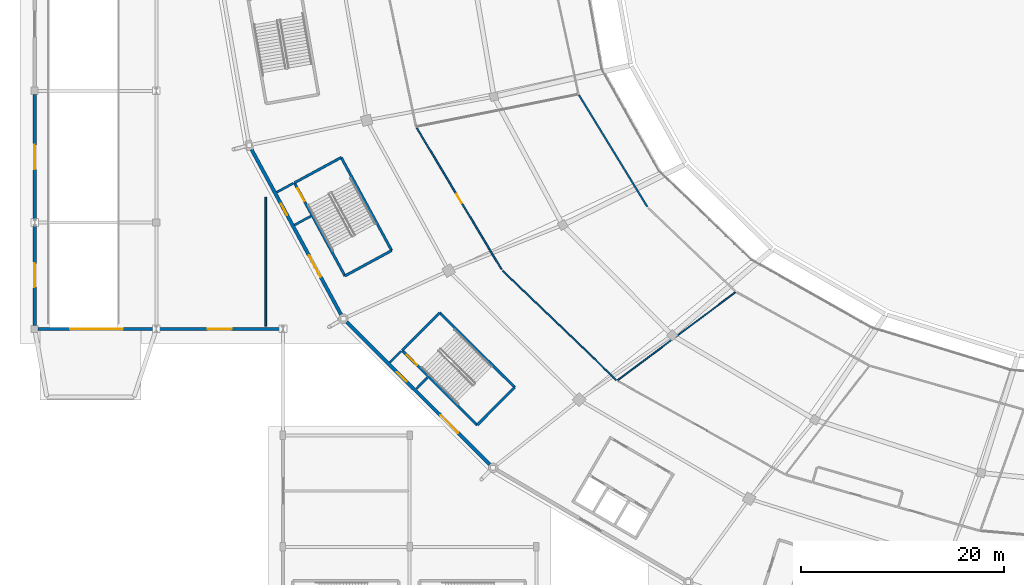
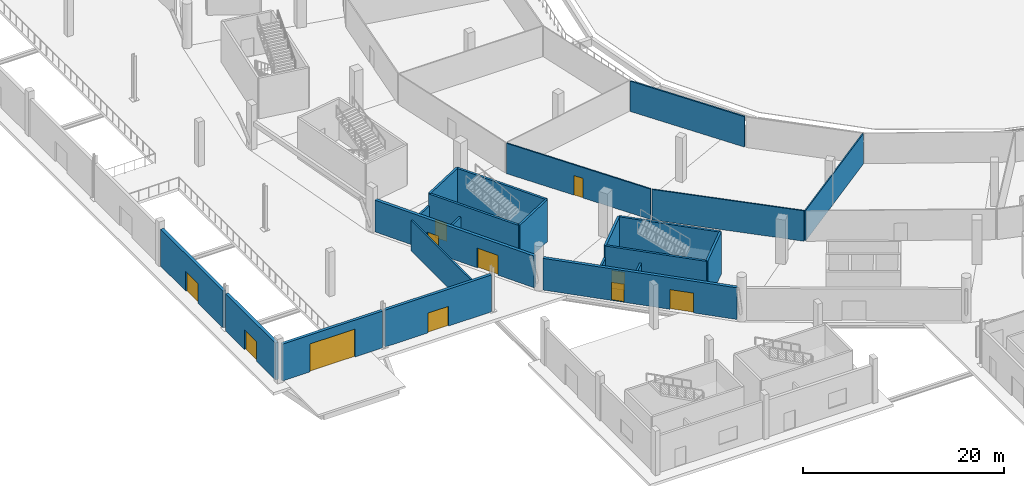
# One storey, part 37 of 82: 23 walls, 11 doors, 11 openings.
"""IFC4 building model written with IfcOpenShell, lengths in metres."""

from ifc_helpers import new_model, si_unit, direction, frame, frame_2d, origin, place, context, subcontext, project, spatial, rectangle, extrude, material, layer, layer_set, type_object, element, fill, save


model = new_model("IFC4")

# Units and contexts
model_context = context("Model", 3, precision=1e-05, world=origin(), true_north=direction((0.0, 1.0)))
body_context = subcontext(model_context, "Body", "Model", "MODEL_VIEW")
ifc_project = project(units=[si_unit("LENGTHUNIT", "METRE"), si_unit("AREAUNIT", "SQUARE_METRE"), si_unit("VOLUMEUNIT", "CUBIC_METRE"), si_unit("PLANEANGLEUNIT", "RADIAN"), si_unit("MASSUNIT", "GRAM", prefix="KILO")], contexts=[model_context])

# Site, building, storey
site_placement = place(None, origin())
site = spatial("IfcSite", under=ifc_project, at=site_placement, CompositionType="ELEMENT")
building_placement = place(site_placement, origin())
building = spatial("IfcBuilding", under=site, at=building_placement, Name="Zlatoyarsky Gate Stadium", CompositionType="ELEMENT")
storey_placement = place(building_placement, origin())
storey = spatial("IfcBuildingStorey", under=building, at=storey_placement, Name="L00", CompositionType="ELEMENT", Elevation=0.0)

# Walls
ifc_material_1 = material(Name="Double-stud acoustic gypsum partition", Category="gypsum")
ifc_layer_1 = layer(ifc_material_1, 0.169921875)
ifc_layer_set_1 = layer_set([ifc_layer_1], Name="Double-stud acoustic gypsum partition")
wall_type_1 = type_object("IfcWallType", Name="ACOUSTIC BROADCAST STUDIO WALL 170", PredefinedType="PARTITIONING", material=ifc_layer_set_1)
wall_1_placement = place(storey_placement, frame((53.70849609375, 66.58056640625, 0.0), z_axis=(0.0, 0.0, 1.0), x_axis=(0.521817408565, -0.85305720331, 0.0)))
element("IfcWall", 1, at=wall_1_placement, inside=storey, type_object=wall_type_1, Name="L00 interior partition PRT-L00-IRN-13", PredefinedType="PARTITIONING", context=body_context, shape_type="SweptSolid", body=[
    extrude(rectangle(XDim=12.92724609375, YDim=0.169921875, at=frame_2d((6.463623046875, 0.0))), origin(), (0.0, 0.0, 1.0), 3.68994140625),
])
ifc_material_2 = material(Name="Moisture-resistant masonry partition", Category="masonry")
ifc_layer_2 = layer(ifc_material_2, 0.139892578125)
ifc_layer_set_2 = layer_set([ifc_layer_2], Name="Moisture-resistant masonry partition")
wall_type_2 = type_object("IfcWallType", Name="ATHLETE CHANGING BLOCK PARTITION 140", PredefinedType="PARTITIONING", material=ifc_layer_set_2)
wall_2_placement = place(storey_placement, frame((46.18701171875, 49.224853515625, 0.0), z_axis=(0.0, 0.0, 1.0), x_axis=(0.721482024723, -0.692433165007, 0.0)))
element("IfcWall", 2, at=wall_2_placement, inside=storey, type_object=wall_type_2, Name="L00 interior partition PRT-L00-ICC-14M", PredefinedType="PARTITIONING", context=body_context, shape_type="SweptSolid", body=[
    extrude(rectangle(XDim=15.556640625, YDim=0.139892578125, at=frame_2d((7.7783203125, 0.0))), origin(), (0.0, 0.0, 1.0), 3.68994140625),
])

# Wall, opening, door
ifc_material_3 = material(Name="Metal-stud gypsum partition", Category="gypsum")
ifc_layer_3 = layer(ifc_material_3, 0.14990234375)
ifc_layer_set_3 = layer_set([ifc_layer_3], Name="Metal-stud gypsum partition")
wall_type_3 = type_object("IfcWallType", Name="CONCOURSE CORRIDOR PARTITION 150", PredefinedType="PARTITIONING", material=ifc_layer_set_3)
wall_3_placement = place(storey_placement, frame((37.676025390625, 63.3720703125, 0.0), z_axis=(0.0, 0.0, 1.0), x_axis=(0.514350755829, -0.8575799088, 0.0)))
wall_3 = element("IfcWall", 3, at=wall_3_placement, inside=storey, type_object=wall_type_3, Name="L00 interior partition PRT-L00-ICC-13", PredefinedType="PARTITIONING", context=body_context, shape_type="SweptSolid", body=[
    extrude(rectangle(XDim=16.343017578125, YDim=0.14990234375, at=frame_2d((8.17138671875, 0.0))), origin(), (0.0, 0.0, 1.0), 3.68994140625),
])
opening_1_placement = place(wall_3_placement, frame((7.66162109375, 0.0, 0.0)))
opening_1 = element("IfcOpeningElement", 4, at=opening_1_placement, cuts=wall_3, Name="Opening D-L00-152", PredefinedType="OPENING", context=body_context, shape_type="SweptSolid", body=[
    extrude(rectangle(XDim=1.02001953125, YDim=2.3798828125, at=frame_2d((0.510009765625, 1.18994140625))), frame((0.0, 0.0849609375, 0.0), z_axis=(0.0, -1.0, 0.0), x_axis=(1.0, 0.0, 0.0)), (0.0, 0.0, 1.0), 0.169921875),
])
ifc_material_4 = material(Name="Powder-coated steel fire door", Category="steel")
door_type_1 = type_object("IfcDoorType", Name="ACOUSTIC INTERIOR DOOR 1020X2380", OperationType="NOTDEFINED", PredefinedType="DOOR", material=ifc_material_4)
door_1_placement = place(opening_1_placement, origin())
door_1 = element("IfcDoor", 5, at=door_1_placement, inside=storey, type_object=door_type_1, Name="L00 room door D-L00-152", OperationType="SINGLE_SWING_RIGHT", OverallHeight=2.3798828125, OverallWidth=1.02001953125, PredefinedType="DOOR", context=body_context, shape_type="SweptSolid", body=[
    extrude(rectangle(XDim=1.02001953125, YDim=2.3798828125, at=frame_2d((0.510009765625, 1.18994140625))), frame((0.0, 0.02490234375, 0.0), z_axis=(0.0, -1.0, 0.0), x_axis=(1.0, 0.0, 0.0)), (0.0, 0.0, 1.0), 0.050048828125),
])
fill(opening_1, door_1)

# Wall
ifc_material_5 = material(Name="Concrete C40/50", Category="concrete")
ifc_layer_4 = layer(ifc_material_5, 0.25)
ifc_layer_set_4 = layer_set([ifc_layer_4], Name="Concrete C40/50")
wall_type_4 = type_object("IfcWallType", Name="CONCRETE STAIR CORE SHEAR WALL 250", PredefinedType="SHEAR", material=ifc_layer_set_4)
wall_4_placement = place(storey_placement, frame((39.961181640625, 45.10205078125, 0.0), z_axis=(0.0, 0.0, 1.0), x_axis=(-0.705314141126, -0.708894888067, 0.0)))
element("IfcWall", 6, at=wall_4_placement, inside=storey, type_object=wall_type_4, Name="ST-08 L00 stair core entrance shear wall", PredefinedType="SHEAR", context=body_context, shape_type="SweptSolid", body=[
    extrude(rectangle(XDim=5.25, YDim=0.25, at=frame_2d((2.625, 0.0))), origin(), (0.0, 0.0, 1.0), 5.10009765625),
])

# Wall, opening, door
wall_5_placement = place(storey_placement, frame((36.25830078125, 41.38037109375, 0.0), z_axis=(0.0, 0.0, 1.0), x_axis=(0.708891762409, -0.705317282639, 0.0)))
wall_5 = element("IfcWall", 7, at=wall_5_placement, inside=storey, type_object=wall_type_4, Name="ST-08 L00 stair core left shear wall", PredefinedType="SHEAR", context=body_context, shape_type="SweptSolid", body=[
    extrude(rectangle(XDim=10.449951171875, YDim=0.25, at=frame_2d((5.22509765625, 0.0))), origin(), (0.0, 0.0, 1.0), 5.10009765625),
])
opening_2_placement = place(wall_5_placement, frame((0.64990234375, 0.0, 0.0)))
opening_2 = element("IfcOpeningElement", 8, at=opening_2_placement, cuts=wall_5, Name="Opening SD-ST-08-L00", PredefinedType="OPENING", context=body_context, shape_type="SweptSolid", body=[
    extrude(rectangle(XDim=1.39990234375, YDim=2.199951171875, at=frame_2d((0.699951171875, 1.10009765625))), frame((0.0, 0.135009765625, 0.0), z_axis=(0.0, -1.0, 0.0), x_axis=(1.0, 0.0, 0.0)), (0.0, 0.0, 1.0), 0.27001953125),
])
door_type_2 = type_object("IfcDoorType", Name="STAIR CORE FIRE EXIT DOOR 1400X2200", OperationType="NOTDEFINED", PredefinedType="DOOR", material=ifc_material_4)
door_2_placement = place(opening_2_placement, frame((1.39990234375, 0.0, 0.0), z_axis=(0.0, 0.0, 1.0), x_axis=(-1.0, 0.0, 0.0)))
door_2 = element("IfcDoor", 9, at=door_2_placement, inside=storey, type_object=door_type_2, Name="ST-08 L00 protected exit discharge fire door", OperationType="SINGLE_SWING_RIGHT", OverallHeight=2.199951171875, OverallWidth=1.39990234375, PredefinedType="DOOR", context=body_context, shape_type="SweptSolid", body=[
    extrude(rectangle(XDim=1.39990234375, YDim=2.199951171875, at=frame_2d((0.699951171875, 1.10009765625))), frame((0.0, 0.02490234375, 0.0), z_axis=(0.0, -1.0, 0.0), x_axis=(1.0, 0.0, 0.0)), (0.0, 0.0, 1.0), 0.050048828125),
])
fill(opening_2, door_2)

# Walls
wall_6_placement = place(storey_placement, frame((43.666259765625, 34.009765625, 0.0), z_axis=(0.0, 0.0, 1.0), x_axis=(0.705314141126, 0.708894888067, 0.0)))
element("IfcWall", 10, at=wall_6_placement, inside=storey, type_object=wall_type_4, Name="ST-08 L00 stair core far shear wall", PredefinedType="SHEAR", context=body_context, shape_type="SweptSolid", body=[
    extrude(rectangle(XDim=5.25, YDim=0.25, at=frame_2d((2.625, 0.0))), origin(), (0.0, 0.0, 1.0), 5.10009765625),
])
wall_7_placement = place(storey_placement, frame((47.369140625, 37.7314453125, 0.0), z_axis=(0.0, 0.0, 1.0), x_axis=(-0.708891762409, 0.705317282639, 0.0)))
element("IfcWall", 11, at=wall_7_placement, inside=storey, type_object=wall_type_4, Name="ST-08 L00 stair core right shear wall", PredefinedType="SHEAR", context=body_context, shape_type="SweptSolid", body=[
    extrude(rectangle(XDim=10.449951171875, YDim=0.25, at=frame_2d((5.22509765625, 0.0))), origin(), (0.0, 0.0, 1.0), 5.10009765625),
])
wall_8_placement = place(storey_placement, frame((30.246337890625, 60.420166015625, 0.0), z_axis=(0.0, 0.0, 1.0), x_axis=(-0.878961487093, -0.47689275965, 0.0)))
element("IfcWall", 12, at=wall_8_placement, inside=storey, type_object=wall_type_4, Name="ST-15 L00 stair core entrance shear wall", PredefinedType="SHEAR", context=body_context, shape_type="SweptSolid", body=[
    extrude(rectangle(XDim=5.25, YDim=0.25, at=frame_2d((2.625, 0.0))), origin(), (0.0, 0.0, 1.0), 5.10009765625),
])

# Wall, opening, door
wall_9_placement = place(storey_placement, frame((25.6318359375, 57.91650390625, 0.0), z_axis=(0.0, 0.0, 1.0), x_axis=(0.476876856974, -0.878970115125, 0.0)))
wall_9 = element("IfcWall", 13, at=wall_9_placement, inside=storey, type_object=wall_type_4, Name="ST-15 L00 stair core left shear wall", PredefinedType="SHEAR", context=body_context, shape_type="SweptSolid", body=[
    extrude(rectangle(XDim=10.4501953125, YDim=0.25, at=frame_2d((5.22509765625, 0.0))), origin(), (0.0, 0.0, 1.0), 5.10009765625),
])
opening_3_placement = place(wall_9_placement, frame((0.64990234375, 0.0, 0.0)))
opening_3 = element("IfcOpeningElement", 14, at=opening_3_placement, cuts=wall_9, Name="Opening SD-ST-15-L00", PredefinedType="OPENING", context=body_context, shape_type="SweptSolid", body=[
    extrude(rectangle(XDim=1.39990234375, YDim=2.199951171875, at=frame_2d((0.699951171875, 1.10009765625))), frame((0.0, 0.135009765625, 0.0), z_axis=(0.0, -1.0, 0.0), x_axis=(1.0, 0.0, 0.0)), (0.0, 0.0, 1.0), 0.27001953125),
])
door_3_placement = place(opening_3_placement, frame((1.39990234375, 0.0, 0.0), z_axis=(0.0, 0.0, 1.0), x_axis=(-1.0, 0.0, 0.0)))
door_3 = element("IfcDoor", 15, at=door_3_placement, inside=storey, type_object=door_type_2, Name="ST-15 L00 protected exit discharge fire door", OperationType="SINGLE_SWING_RIGHT", OverallHeight=2.199951171875, OverallWidth=1.39990234375, PredefinedType="DOOR", context=body_context, shape_type="SweptSolid", body=[
    extrude(rectangle(XDim=1.39990234375, YDim=2.199951171875, at=frame_2d((0.699951171875, 1.10009765625))), frame((0.0, 0.02490234375, 0.0), z_axis=(0.0, -1.0, 0.0), x_axis=(1.0, 0.0, 0.0)), (0.0, 0.0, 1.0), 0.050048828125),
])
fill(opening_3, door_3)

# Walls
wall_10_placement = place(storey_placement, frame((30.615234375, 48.731201171875, 0.0), z_axis=(0.0, 0.0, 1.0), x_axis=(0.878961487093, 0.47689275965, 0.0)))
element("IfcWall", 16, at=wall_10_placement, inside=storey, type_object=wall_type_4, Name="ST-15 L00 stair core far shear wall", PredefinedType="SHEAR", context=body_context, shape_type="SweptSolid", body=[
    extrude(rectangle(XDim=5.25, YDim=0.25, at=frame_2d((2.625, 0.0))), origin(), (0.0, 0.0, 1.0), 5.10009765625),
])
wall_11_placement = place(storey_placement, frame((35.229736328125, 51.23486328125, 0.0), z_axis=(0.0, 0.0, 1.0), x_axis=(-0.476876856974, 0.878970115125, 0.0)))
element("IfcWall", 17, at=wall_11_placement, inside=storey, type_object=wall_type_4, Name="ST-15 L00 stair core right shear wall", PredefinedType="SHEAR", context=body_context, shape_type="SweptSolid", body=[
    extrude(rectangle(XDim=10.4501953125, YDim=0.25, at=frame_2d((5.22509765625, 0.0))), origin(), (0.0, 0.0, 1.0), 5.10009765625),
])
ifc_material_6 = material(Name="Autoclaved aerated concrete masonry EI 120", Category="masonry")
ifc_layer_5 = layer(ifc_material_6, 0.219970703125)
ifc_layer_set_5 = layer_set([ifc_layer_5], Name="Autoclaved aerated concrete masonry EI 120")
wall_type_5 = type_object("IfcWallType", Name="FIREFIGHTING LOBBY RATED WALL 220", PredefinedType="PARTITIONING", material=ifc_layer_set_5)
wall_12_placement = place(storey_placement, frame((36.15234375, 41.295166015625, 0.0), z_axis=(0.0, 0.0, 1.0), x_axis=(-0.705308431296, -0.70890056901, 0.0)))
element("IfcWall", 18, at=wall_12_placement, inside=storey, type_object=wall_type_5, Name="ST-08 L00 protected exit lobby EI 120 wall 1", PredefinedType="PARTITIONING", context=body_context, shape_type="SweptSolid", body=[
    extrude(rectangle(XDim=1.563232421875, YDim=0.219970703125, at=frame_2d((0.78173828125, 0.0))), origin(), (0.0, 0.0, 1.0), 3.68994140625),
])
wall_13_placement = place(storey_placement, frame((38.76123046875, 38.69970703125, 0.0), z_axis=(0.0, 0.0, 1.0), x_axis=(-0.70523034672, -0.70897824936, 0.0)))
element("IfcWall", 19, at=wall_13_placement, inside=storey, type_object=wall_type_5, Name="ST-08 L00 protected exit lobby EI 120 wall 2", PredefinedType="PARTITIONING", context=body_context, shape_type="SweptSolid", body=[
    extrude(rectangle(XDim=1.5634765625, YDim=0.219970703125, at=frame_2d((0.78173828125, 0.0))), origin(), (0.0, 0.0, 1.0), 3.68994140625),
])
for number, where, z_axis, x_axis, name in (
    (20, (25.505859375, 57.865234375, 0.0), (0.0, 0.0, 1.0), (-0.878983772666, -0.476851682801, 0.0), "ST-15 L00 protected exit lobby EI 120 wall 1"),
    (21, (27.2607421875, 54.630615234375, 0.0), (0.0, 0.0, 1.0), (-0.878983772666, -0.476851682801, 0.0), "ST-15 L00 protected exit lobby EI 120 wall 2"),
):
    element("IfcWall", number, at=place(storey_placement, frame(where, z_axis=z_axis, x_axis=x_axis)), inside=storey, type_object=wall_type_5, Name=name, PredefinedType="PARTITIONING", context=body_context, shape_type="SweptSolid", body=[
        extrude(rectangle(XDim=1.839599609375, YDim=0.219970703125, at=frame_2d((0.919921875, 0.0))), origin(), (0.0, 0.0, 1.0), 3.68994140625),
    ])

# Wall, opening, door
ifc_material_7 = material(Name="Limestone-faced insulated masonry wall", Category="masonry")
ifc_layer_6 = layer(ifc_material_7, 0.360107421875)
ifc_layer_set_6 = layer_set([ifc_layer_6], Name="Limestone-faced insulated masonry wall")
wall_type_6 = type_object("IfcWallType", Name="LIMESTONE CLAD CAVITY WALL 360", PredefinedType="STANDARD", material=ifc_layer_set_6)
wall_14_placement = place(storey_placement, frame((0.0, 43.846923828125, 0.0), z_axis=(0.0, 0.0, 1.0), x_axis=(0.0, 1.0, 0.0)))
wall_14 = element("IfcWall", 22, at=wall_14_placement, inside=storey, type_object=wall_type_6, Name="V4_WEST L00 W_LO exterior wall", PredefinedType="STANDARD", context=body_context, shape_type="SweptSolid", body=[
    extrude(rectangle(XDim=9.906005859375, YDim=0.360107421875, at=frame_2d((4.953125, 0.0))), origin(), (0.0, 0.0, 1.0), 4.47998046875),
])
opening_4_placement = place(wall_14_placement, frame((3.778076171875, 0.0, 0.0)))
opening_4 = element("IfcOpeningElement", 23, at=opening_4_placement, cuts=wall_14, Name="Opening G21", PredefinedType="OPENING", context=body_context, shape_type="SweptSolid", body=[
    extrude(rectangle(XDim=2.35009765625, YDim=2.39990234375, at=frame_2d((1.175048828125, 1.199951171875))), frame((0.0, 0.18994140625, 0.0), z_axis=(0.0, -1.0, 0.0), x_axis=(1.0, 0.0, 0.0)), (0.0, 0.0, 1.0), 0.380126953125),
])
ifc_material_8 = material(Name="Thermally broken powder-coated steel and laminated safety glass", Category="steel")
door_type_3 = type_object("IfcDoorType", Name="PEDESTRIAN FINAL EXIT DOUBLE DOOR 2350X2400", OperationType="DOUBLE_DOOR_SINGLE_SWING", PredefinedType="DOOR", material=ifc_material_8)
door_4_placement = place(opening_4_placement, origin())
door_4 = element("IfcDoor", 24, at=door_4_placement, inside=storey, type_object=door_type_3, Name="Exterior door G21", OperationType="DOUBLE_DOOR_SINGLE_SWING", OverallHeight=2.39990234375, OverallWidth=2.35009765625, PredefinedType="DOOR", context=body_context, shape_type="SweptSolid", body=[
    extrude(rectangle(XDim=2.35009765625, YDim=2.39990234375, at=frame_2d((1.175048828125, 1.199951171875))), frame((0.0, 0.02490234375, 0.0), z_axis=(0.0, -1.0, 0.0), x_axis=(1.0, 0.0, 0.0)), (0.0, 0.0, 1.0), 0.050048828125),
])
fill(opening_4, door_4)

wall_15_placement = place(storey_placement, frame((0.0, 54.2470703125, 0.0), z_axis=(0.0, 0.0, 1.0), x_axis=(0.0, 1.0, 0.0)))
wall_15 = element("IfcWall", 25, at=wall_15_placement, inside=storey, type_object=wall_type_6, Name="V4_WEST L00 W_LO exterior wall", PredefinedType="STANDARD", context=body_context, shape_type="SweptSolid", body=[
    extrude(rectangle(XDim=12.406005859375, YDim=0.360107421875, at=frame_2d((6.203125, 0.0))), origin(), (0.0, 0.0, 1.0), 4.47998046875),
])
opening_5_placement = place(wall_15_placement, frame((5.0029296875, 0.0, 0.0)))
opening_5 = element("IfcOpeningElement", 26, at=opening_5_placement, cuts=wall_15, Name="Opening G22", PredefinedType="OPENING", context=body_context, shape_type="SweptSolid", body=[
    extrude(rectangle(XDim=2.39990234375, YDim=2.39990234375, at=frame_2d((1.199951171875, 1.199951171875))), frame((0.0, 0.18994140625, 0.0), z_axis=(0.0, -1.0, 0.0), x_axis=(1.0, 0.0, 0.0)), (0.0, 0.0, 1.0), 0.380126953125),
])
door_type_4 = type_object("IfcDoorType", Name="PEDESTRIAN FINAL EXIT DOUBLE DOOR 2400X2400", OperationType="DOUBLE_DOOR_SINGLE_SWING", PredefinedType="DOOR", material=ifc_material_8)
door_5_placement = place(opening_5_placement, origin())
door_5 = element("IfcDoor", 27, at=door_5_placement, inside=storey, type_object=door_type_4, Name="Exterior door G22", OperationType="DOUBLE_DOOR_SINGLE_SWING", OverallHeight=2.39990234375, OverallWidth=2.39990234375, PredefinedType="DOOR", context=body_context, shape_type="SweptSolid", body=[
    extrude(rectangle(XDim=2.39990234375, YDim=2.39990234375, at=frame_2d((1.199951171875, 1.199951171875))), frame((0.0, 0.02490234375, 0.0), z_axis=(0.0, -1.0, 0.0), x_axis=(1.0, 0.0, 0.0)), (0.0, 0.0, 1.0), 0.050048828125),
])
fill(opening_5, door_5)

# Wall, openings, doors
ifc_layer_7 = layer(ifc_material_7, 0.340087890625)
ifc_layer_set_7 = layer_set([ifc_layer_7], Name="Limestone-faced insulated masonry wall")
wall_type_7 = type_object("IfcWallType", Name="LIMESTONE GATE PLINTH WALL 340", PredefinedType="STANDARD", material=ifc_layer_set_7)
wall_16_placement = place(storey_placement, frame((21.38818359375, 61.219482421875, 0.0), z_axis=(0.0, 0.0, 1.0), x_axis=(0.47689360532, -0.878961028263, 0.0)))
wall_16 = element("IfcWall", 28, at=wall_16_placement, inside=storey, type_object=wall_type_7, Name="L00 bowl exterior plinth wall sector 13", PredefinedType="STANDARD", context=body_context, shape_type="SweptSolid", body=[
    extrude(rectangle(XDim=18.56201171875, YDim=0.340087890625, at=frame_2d((9.281005859375, 0.0))), origin(), (0.0, 0.0, 1.0), 3.85009765625),
])
opening_6_placement = place(wall_16_placement, frame((6.101806640625, 0.0, 0.0)))
opening_6 = element("IfcOpeningElement", 29, at=opening_6_placement, cuts=wall_16, Name="Opening ED-ST15", PredefinedType="OPENING", context=body_context, shape_type="SweptSolid", body=[
    extrude(rectangle(XDim=1.300048828125, YDim=2.199951171875, at=frame_2d((0.64990234375, 1.10009765625))), frame((0.0, 0.179931640625, 0.0), z_axis=(0.0, -1.0, 0.0), x_axis=(1.0, 0.0, 0.0)), (0.0, 0.0, 1.0), 0.360107421875),
])
opening_7_placement = place(wall_16_placement, frame((11.927001953125, 0.0, 0.0)))
opening_7 = element("IfcOpeningElement", 30, at=opening_7_placement, cuts=wall_16, Name="Opening G07", PredefinedType="OPENING", context=body_context, shape_type="SweptSolid", body=[
    extrude(rectangle(XDim=2.39990234375, YDim=2.39990234375, at=frame_2d((1.199951171875, 1.199951171875))), frame((0.0, 0.179931640625, 0.0), z_axis=(0.0, -1.0, 0.0), x_axis=(1.0, 0.0, 0.0)), (0.0, 0.0, 1.0), 0.360107421875),
])
door_6_placement = place(opening_7_placement, frame((2.39990234375, 0.0, 0.0), z_axis=(0.0, 0.0, 1.0), x_axis=(-1.0, 0.0, 0.0)))
door_6 = element("IfcDoor", 31, at=door_6_placement, inside=storey, type_object=door_type_4, Name="Pedestrian exit gate G07", OperationType="DOUBLE_DOOR_SINGLE_SWING", OverallHeight=2.39990234375, OverallWidth=2.39990234375, PredefinedType="DOOR", context=body_context, shape_type="SweptSolid", body=[
    extrude(rectangle(XDim=2.39990234375, YDim=2.39990234375, at=frame_2d((1.199951171875, 1.199951171875))), frame((0.0, 0.02490234375, 0.0), z_axis=(0.0, -1.0, 0.0), x_axis=(1.0, 0.0, 0.0)), (0.0, 0.0, 1.0), 0.050048828125),
])
fill(opening_7, door_6)
door_type_5 = type_object("IfcDoorType", Name="STAIR DISCHARGE FIRE EXIT DOOR 1300X2200", OperationType="NOTDEFINED", PredefinedType="DOOR", material=ifc_material_8)
door_7_placement = place(opening_6_placement, frame((1.300048828125, 0.0, 0.0), z_axis=(0.0, 0.0, 1.0), x_axis=(-1.0, 0.0, 0.0)))
door_7 = element("IfcDoor", 32, at=door_7_placement, inside=storey, type_object=door_type_5, Name="Stair discharge fire exit door ED-ST15", OperationType="SINGLE_SWING_LEFT", OverallHeight=2.199951171875, OverallWidth=1.300048828125, PredefinedType="DOOR", context=body_context, shape_type="SweptSolid", body=[
    extrude(rectangle(XDim=1.300048828125, YDim=2.199951171875, at=frame_2d((0.64990234375, 1.10009765625))), frame((0.0, 0.02490234375, 0.0), z_axis=(0.0, -1.0, 0.0), x_axis=(1.0, 0.0, 0.0)), (0.0, 0.0, 1.0), 0.050048828125),
])
fill(opening_6, door_7)

wall_17_placement = place(storey_placement, frame((30.78564453125, 44.175537109375, 0.0), z_axis=(0.0, 0.0, 1.0), x_axis=(0.708905356977, -0.705303618911, 0.0)))
wall_17 = element("IfcWall", 33, at=wall_17_placement, inside=storey, type_object=wall_type_7, Name="L00 bowl exterior plinth wall sector 14", PredefinedType="STANDARD", context=body_context, shape_type="SweptSolid", body=[
    extrude(rectangle(XDim=19.928466796875, YDim=0.340087890625, at=frame_2d((9.96435546875, 0.0))), origin(), (0.0, 0.0, 1.0), 3.85009765625),
])
opening_8_placement = place(wall_17_placement, frame((7.026123046875, 0.0, 0.0)))
opening_8 = element("IfcOpeningElement", 34, at=opening_8_placement, cuts=wall_17, Name="Opening ED-ST08", PredefinedType="OPENING", context=body_context, shape_type="SweptSolid", body=[
    extrude(rectangle(XDim=1.300048828125, YDim=2.199951171875, at=frame_2d((0.64990234375, 1.10009765625))), frame((0.0, 0.179931640625, 0.0), z_axis=(0.0, -1.0, 0.0), x_axis=(1.0, 0.0, 0.0)), (0.0, 0.0, 1.0), 0.360107421875),
])
opening_9_placement = place(wall_17_placement, frame((13.04736328125, 0.0, 0.0)))
opening_9 = element("IfcOpeningElement", 35, at=opening_9_placement, cuts=wall_17, Name="Opening G08", PredefinedType="OPENING", context=body_context, shape_type="SweptSolid", body=[
    extrude(rectangle(XDim=2.449951171875, YDim=2.39990234375, at=frame_2d((1.22509765625, 1.199951171875))), frame((0.0, 0.179931640625, 0.0), z_axis=(0.0, -1.0, 0.0), x_axis=(1.0, 0.0, 0.0)), (0.0, 0.0, 1.0), 0.360107421875),
])
door_type_6 = type_object("IfcDoorType", Name="PEDESTRIAN FINAL EXIT DOUBLE DOOR 2450X2400", OperationType="DOUBLE_DOOR_SINGLE_SWING", PredefinedType="DOOR", material=ifc_material_8)
door_8_placement = place(opening_9_placement, frame((2.449951171875, 0.0, 0.0), z_axis=(0.0, 0.0, 1.0), x_axis=(-1.0, 0.0, 0.0)))
door_8 = element("IfcDoor", 36, at=door_8_placement, inside=storey, type_object=door_type_6, Name="Pedestrian exit gate G08", OperationType="DOUBLE_DOOR_SINGLE_SWING", OverallHeight=2.39990234375, OverallWidth=2.449951171875, PredefinedType="DOOR", context=body_context, shape_type="SweptSolid", body=[
    extrude(rectangle(XDim=2.449951171875, YDim=2.39990234375, at=frame_2d((1.22509765625, 1.199951171875))), frame((0.0, 0.02490234375, 0.0), z_axis=(0.0, -1.0, 0.0), x_axis=(1.0, 0.0, 0.0)), (0.0, 0.0, 1.0), 0.050048828125),
])
fill(opening_9, door_8)
door_9_placement = place(opening_8_placement, frame((1.300048828125, 0.0, 0.0), z_axis=(0.0, 0.0, 1.0), x_axis=(-1.0, 0.0, 0.0)))
door_9 = element("IfcDoor", 37, at=door_9_placement, inside=storey, type_object=door_type_5, Name="Stair discharge fire exit door ED-ST08", OperationType="SINGLE_SWING_RIGHT", OverallHeight=2.199951171875, OverallWidth=1.300048828125, PredefinedType="DOOR", context=body_context, shape_type="SweptSolid", body=[
    extrude(rectangle(XDim=1.300048828125, YDim=2.199951171875, at=frame_2d((0.64990234375, 1.10009765625))), frame((0.0, 0.02490234375, 0.0), z_axis=(0.0, -1.0, 0.0), x_axis=(1.0, 0.0, 0.0)), (0.0, 0.0, 1.0), 0.050048828125),
])
fill(opening_8, door_9)

# Wall
ifc_material_9 = material(Name="Gypsum-clad mineral wool fire partition", Category="gypsum")
ifc_layer_8 = layer(ifc_material_9, 0.179931640625)
ifc_layer_set_8 = layer_set([ifc_layer_8], Name="Gypsum-clad mineral wool fire partition")
wall_type_8 = type_object("IfcWallType", Name="PLANT AND KITCHEN RATED WALL 180", PredefinedType="PARTITIONING", material=ifc_layer_set_8)
wall_18_placement = place(storey_placement, frame((22.800048828125, 43.764892578125, 0.0), z_axis=(0.0, 0.0, 1.0), x_axis=(0.0, 1.0, 0.0)))
element("IfcWall", 38, at=wall_18_placement, inside=storey, type_object=wall_type_8, Name="L00 interior partition PRT-L00-ALC-SW-X", PredefinedType="PARTITIONING", context=body_context, shape_type="SweptSolid", body=[
    extrude(rectangle(XDim=12.75, YDim=0.179931640625, at=frame_2d((6.375, 0.0))), origin(), (0.0, 0.0, 1.0), 3.68994140625),
])

# Wall, opening, door
ifc_material_10 = material(Name="Precast concrete C40/50 architectural panel", Category="concrete")
ifc_layer_9 = layer(ifc_material_10, 0.320068359375)
ifc_layer_set_9 = layer_set([ifc_layer_9], Name="Precast concrete C40/50 architectural panel")
wall_type_9 = type_object("IfcWallType", Name="PRECAST TERRACOTTA FACADE WALL 320", PredefinedType="STANDARD", material=ifc_layer_set_9)
wall_19_placement = place(storey_placement, frame((0.346923828125, 43.5, 0.0), z_axis=(0.0, 0.0, 1.0), x_axis=(1.0, 0.0, 0.0)))
wall_19 = element("IfcWall", 39, at=wall_19_placement, inside=storey, type_object=wall_type_9, Name="V4_WEST L00 S exterior wall", PredefinedType="STANDARD", context=body_context, shape_type="SweptSolid", body=[
    extrude(rectangle(XDim=11.506103515625, YDim=0.320068359375, at=frame_2d((5.7529296875, 0.0))), origin(), (0.0, 0.0, 1.0), 4.47998046875),
])
opening_10_placement = place(wall_19_placement, frame((3.153076171875, 0.0, 0.0)))
opening_10 = element("IfcOpeningElement", 40, at=opening_10_placement, cuts=wall_19, Name="Opening VG-01", PredefinedType="OPENING", context=body_context, shape_type="SweptSolid", body=[
    extrude(rectangle(XDim=5.199951171875, YDim=3.39990234375, at=frame_2d((2.60009765625, 1.699951171875))), frame((0.0, 0.169921875, 0.0), z_axis=(0.0, -1.0, 0.0), x_axis=(1.0, 0.0, 0.0)), (0.0, 0.0, 1.0), 0.340087890625),
])
door_type_7 = type_object("IfcDoorType", Name="VEHICLE RAMP INSULATED ROLLER SHUTTER GATE 5200X3400", OperationType="ROLLINGUP", PredefinedType="GATE", material=ifc_material_8)
door_10_placement = place(opening_10_placement, frame((5.199951171875, 0.0, 0.0), z_axis=(0.0, 0.0, 1.0), x_axis=(-1.0, 0.0, 0.0)))
door_10 = element("IfcDoor", 41, at=door_10_placement, inside=storey, type_object=door_type_7, Name="Vehicle entrance roller shutter gate VG-01", OperationType="ROLLINGUP", OverallHeight=3.39990234375, OverallWidth=5.199951171875, PredefinedType="GATE", context=body_context, shape_type="SweptSolid", body=[
    extrude(rectangle(XDim=5.199951171875, YDim=3.39990234375, at=frame_2d((2.60009765625, 1.699951171875))), frame((0.0, 0.02490234375, 0.0), z_axis=(0.0, -1.0, 0.0), x_axis=(1.0, 0.0, 0.0)), (0.0, 0.0, 1.0), 0.050048828125),
])
fill(opening_10, door_10)

wall_20_placement = place(storey_placement, frame((12.14697265625, 43.5, 0.0), z_axis=(0.0, 0.0, 1.0), x_axis=(1.0, 0.0, 0.0)))
wall_20 = element("IfcWall", 42, at=wall_20_placement, inside=storey, type_object=wall_type_9, Name="V4_WEST L00 S exterior wall", PredefinedType="STANDARD", context=body_context, shape_type="SweptSolid", body=[
    extrude(rectangle(XDim=12.2060546875, YDim=0.320068359375, at=frame_2d((6.10302734375, 0.0))), origin(), (0.0, 0.0, 1.0), 4.47998046875),
])
opening_11_placement = place(wall_20_placement, frame((4.927978515625, 0.0, 0.0)))
opening_11 = element("IfcOpeningElement", 43, at=opening_11_placement, cuts=wall_20, Name="Opening G27", PredefinedType="OPENING", context=body_context, shape_type="SweptSolid", body=[
    extrude(rectangle(XDim=2.35009765625, YDim=2.39990234375, at=frame_2d((1.175048828125, 1.199951171875))), frame((0.0, 0.169921875, 0.0), z_axis=(0.0, -1.0, 0.0), x_axis=(1.0, 0.0, 0.0)), (0.0, 0.0, 1.0), 0.340087890625),
])
door_11_placement = place(opening_11_placement, frame((2.35009765625, 0.0, 0.0), z_axis=(0.0, 0.0, 1.0), x_axis=(-1.0, 0.0, 0.0)))
door_11 = element("IfcDoor", 44, at=door_11_placement, inside=storey, type_object=door_type_3, Name="Exterior door G27", OperationType="DOUBLE_DOOR_SINGLE_SWING", OverallHeight=2.39990234375, OverallWidth=2.35009765625, PredefinedType="DOOR", context=body_context, shape_type="SweptSolid", body=[
    extrude(rectangle(XDim=2.35009765625, YDim=2.39990234375, at=frame_2d((1.175048828125, 1.199951171875))), frame((0.0, 0.02490234375, 0.0), z_axis=(0.0, -1.0, 0.0), x_axis=(1.0, 0.0, 0.0)), (0.0, 0.0, 1.0), 0.050048828125),
])
fill(opening_11, door_11)

# Wall
ifc_material_11 = material(Name="Moisture-resistant tile-backed partition", Category="gypsum")
ifc_layer_10 = layer(ifc_material_11, 0.1298828125)
ifc_layer_set_10 = layer_set([ifc_layer_10], Name="Moisture-resistant tile-backed partition")
wall_type_10 = type_object("IfcWallType", Name="SANITARY WET ROOM PARTITION 130", PredefinedType="PARTITIONING", material=ifc_layer_set_10)
wall_21_placement = place(storey_placement, frame((69.141357421875, 47.10986328125, 0.0), z_axis=(0.0, 0.0, 1.0), x_axis=(-0.801184078543, -0.598417974571, 0.0)))
element("IfcWall", 45, at=wall_21_placement, inside=storey, type_object=wall_type_10, Name="L00 interior partition PRT-L00-IRD-15", PredefinedType="PARTITIONING", context=body_context, shape_type="SweptSolid", body=[
    extrude(rectangle(XDim=14.47998046875, YDim=0.1298828125, at=frame_2d((7.239990234375, 0.0))), origin(), (0.0, 0.0, 1.0), 3.68994140625),
])

save(model, "model.ifc")
